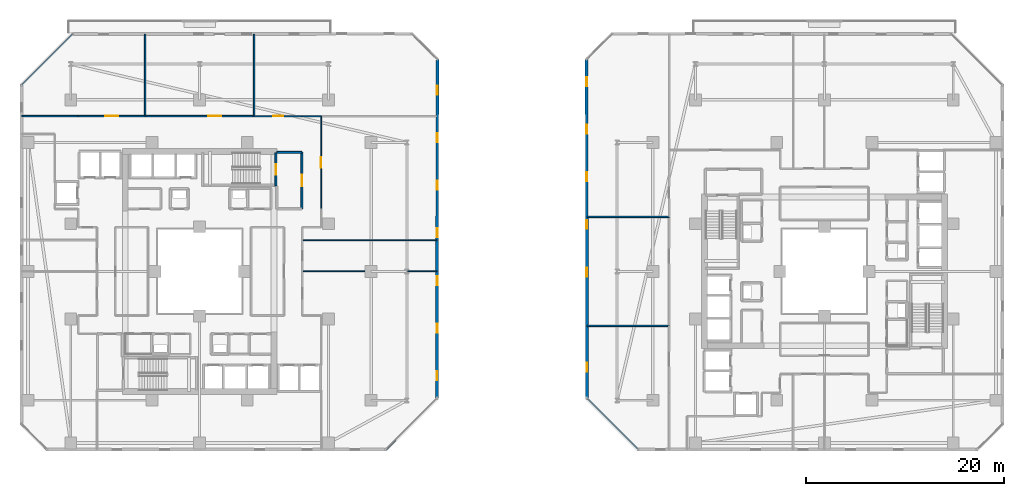
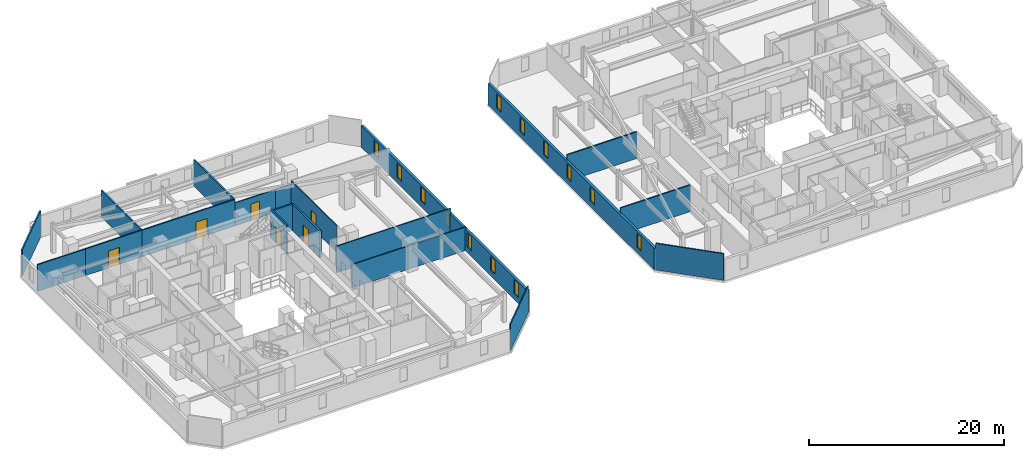
# One storey, part 19 of 31: 20 walls, 13 windows, 6 doors, 19 openings.
"""IFC4 building model written with IfcOpenShell, lengths in metres."""

from ifc_helpers import new_model, si_unit, direction, frame, frame_2d, origin, place, context, subcontext, project, spatial, rectangle, extrude, material, layer, layer_set, type_object, element, fill, save


model = new_model("IFC4")

# Units and contexts
model_context = context("Model", 3, precision=1e-05, world=origin(), true_north=direction((0.0, 1.0)))
body_context = subcontext(model_context, "Body", "Model", "MODEL_VIEW")
ifc_project = project(units=[si_unit("LENGTHUNIT", "METRE"), si_unit("AREAUNIT", "SQUARE_METRE"), si_unit("VOLUMEUNIT", "CUBIC_METRE"), si_unit("PLANEANGLEUNIT", "RADIAN"), si_unit("MASSUNIT", "GRAM", prefix="KILO")], contexts=[model_context])

# Site, building, storey
site_placement = place(None, origin())
site = spatial("IfcSite", under=ifc_project, at=site_placement, CompositionType="ELEMENT")
building_placement = place(site_placement, origin())
building = spatial("IfcBuilding", under=site, at=building_placement, Name="Thornwick Lancets Civic Towers", CompositionType="ELEMENT")
storey_placement = place(building_placement, frame((0.0, 0.0, 87.300048828125)))
storey = spatial("IfcBuildingStorey", under=building, at=storey_placement, Name="L22", CompositionType="ELEMENT", Elevation=87.300048828125)

# Wall, opening, door
ifc_material_1 = material(Name="Concrete blockwork C40/50", Category="masonry")
ifc_layer_1 = layer(ifc_material_1, 0.199951171875, Name="Concrete blockwork C40/50")
ifc_layer_set_1 = layer_set([ifc_layer_1], Name="Concrete blockwork C40/50")
wall_type_1 = type_object("IfcWallType", Name="WALL_COMP_200", PredefinedType="STANDARD", material=ifc_layer_set_1)
wall_1_placement = place(storey_placement, frame((35.800048828125, 33.300048828125, 0.0), z_axis=(0.0, 0.0, 1.0), x_axis=(0.0, 1.0, 0.0)))
wall_1 = element("IfcWall", 1, at=wall_1_placement, inside=storey, type_object=wall_type_1, Name="L22 Partition L22-A-FFLOB2 E2", PredefinedType="STANDARD", context=body_context, shape_type="SweptSolid", body=[
    extrude(rectangle(XDim=5.699951171875, YDim=0.199951171875, at=frame_2d((2.85009765625, 0.0))), origin(), (0.0, 0.0, 1.0), 3.33984375),
])
opening_1_placement = place(wall_1_placement, frame((2.27490234375, 0.0, 0.0)))
opening_1 = element("IfcOpeningElement", 2, at=opening_1_placement, cuts=wall_1, Name="Opening D-L22-1008", PredefinedType="OPENING", context=body_context, shape_type="SweptSolid", body=[
    extrude(rectangle(XDim=1.14990234375, YDim=2.10009765625, at=frame_2d((0.574951171875, 1.050048828125))), frame((0.0, 0.10986328125, 0.0), z_axis=(0.0, -1.0, 0.0), x_axis=(1.0, 0.0, 0.0)), (0.0, 0.0, 1.0), 0.219970703125),
])
ifc_material_2 = material(Name="Glazed fire-resisting steel", Category="steel")
door_type_1 = type_object("IfcDoorType", Name="DOOR_LOBBY_FD60", OperationType="NOTDEFINED", PredefinedType="DOOR", material=ifc_material_2)
door_1_placement = place(opening_1_placement, origin())
door_1 = element("IfcDoor", 3, at=door_1_placement, inside=storey, type_object=door_type_1, Name="L22 North Firefighting Lobby 2 Door", OperationType="SINGLE_SWING_LEFT", OverallHeight=2.10009765625, OverallWidth=1.14990234375, PredefinedType="DOOR", context=body_context, shape_type="SweptSolid", body=[
    extrude(rectangle(XDim=1.14990234375, YDim=2.10009765625, at=frame_2d((0.574951171875, 1.050048828125))), frame((0.0, 0.02490234375, 0.0), z_axis=(0.0, -1.0, 0.0), x_axis=(1.0, 0.0, 0.0)), (0.0, 0.0, 1.0), 0.050048828125),
])
fill(opening_1, door_1)

# Wall
wall_2_placement = place(storey_placement, frame((35.800048828125, 39.0, 0.0), z_axis=(0.0, 0.0, 1.0), x_axis=(-1.0, 0.0, 0.0)))
element("IfcWall", 4, at=wall_2_placement, inside=storey, type_object=wall_type_1, Name="L22 Partition L22-A-FFLOB2 E3", PredefinedType="STANDARD", context=body_context, shape_type="SweptSolid", body=[
    extrude(rectangle(XDim=2.5, YDim=0.199951171875, at=frame_2d((1.25, 0.0))), origin(), (0.0, 0.0, 1.0), 3.33984375),
])

# Wall, openings, windows
ifc_material_3 = material(Name="Insulated russet terracotta rainscreen on concrete C40/50", Category="masonry")
ifc_layer_2 = layer(ifc_material_3, 0.300048828125, Name="Insulated russet terracotta rainscreen on concrete C40/50")
ifc_layer_set_2 = layer_set([ifc_layer_2], Name="Insulated russet terracotta rainscreen on concrete C40/50")
wall_type_2 = type_object("IfcWallType", Name="WALL_EXT_RUSSET_300", PredefinedType="STANDARD", material=ifc_layer_set_2)
wall_3_placement = place(storey_placement, frame((49.456298828125, 14.226318359375, 0.0), z_axis=(0.0, 0.0, 1.0), x_axis=(0.000243032466, 0.999999970468, 0.0)))
wall_3 = element("IfcWall", 5, at=wall_3_placement, inside=storey, type_object=wall_type_2, Name="L22 Tower A Terracotta Facade Wall E2", PredefinedType="STANDARD", context=body_context, shape_type="SweptSolid", body=[
    extrude(rectangle(XDim=34.155029296875, YDim=0.300048828125, at=frame_2d((17.07763671875, 0.0))), origin(), (0.0, 0.0, 1.0), 2.699951171875),
])
opening_2_placement = place(wall_3_placement, frame((1.800048828125, 0.0, 0.719970703125)))
opening_2 = element("IfcOpeningElement", 6, at=opening_2_placement, cuts=wall_3, Name="Opening WL-01", PredefinedType="OPENING", context=body_context, shape_type="SweptSolid", body=[
    extrude(rectangle(XDim=0.89990234375, YDim=1.75, at=frame_2d((0.449951171875, 0.875))), frame((0.0, 0.16015625, 0.0), z_axis=(0.0, -1.0, 0.0), x_axis=(1.0, 0.0, 0.0)), (0.0, 0.0, 1.0), 0.320068359375),
])
opening_3_placement = place(wall_3_placement, frame((6.60009765625, 0.0, 0.719970703125)))
opening_3 = element("IfcOpeningElement", 7, at=opening_3_placement, cuts=wall_3, Name="Opening WL-01", PredefinedType="OPENING", context=body_context, shape_type="SweptSolid", body=[
    extrude(rectangle(XDim=0.89990234375, YDim=1.75, at=frame_2d((0.449951171875, 0.875))), frame((0.0, 0.16015625, 0.0), z_axis=(0.0, -1.0, 0.0), x_axis=(1.0, 0.0, 0.0)), (0.0, 0.0, 1.0), 0.320068359375),
])
opening_4_placement = place(wall_3_placement, frame((11.39990234375, 0.0, 0.719970703125)))
opening_4 = element("IfcOpeningElement", 8, at=opening_4_placement, cuts=wall_3, Name="Opening WL-01", PredefinedType="OPENING", context=body_context, shape_type="SweptSolid", body=[
    extrude(rectangle(XDim=0.89990234375, YDim=1.75, at=frame_2d((0.449951171875, 0.875))), frame((0.0, 0.16015625, 0.0), z_axis=(0.0, -1.0, 0.0), x_axis=(1.0, 0.0, 0.0)), (0.0, 0.0, 1.0), 0.320068359375),
])
opening_5_placement = place(wall_3_placement, frame((16.199951171875, 0.0, 0.719970703125)))
opening_5 = element("IfcOpeningElement", 9, at=opening_5_placement, cuts=wall_3, Name="Opening WL-01", PredefinedType="OPENING", context=body_context, shape_type="SweptSolid", body=[
    extrude(rectangle(XDim=0.89990234375, YDim=1.75, at=frame_2d((0.449951171875, 0.875))), frame((0.0, 0.16015625, 0.0), z_axis=(0.0, -1.0, 0.0), x_axis=(1.0, 0.0, 0.0)), (0.0, 0.0, 1.0), 0.320068359375),
])
opening_6_placement = place(wall_3_placement, frame((21.0, 0.0, 0.719970703125)))
opening_6 = element("IfcOpeningElement", 10, at=opening_6_placement, cuts=wall_3, Name="Opening WL-01", PredefinedType="OPENING", context=body_context, shape_type="SweptSolid", body=[
    extrude(rectangle(XDim=0.89990234375, YDim=1.75, at=frame_2d((0.449951171875, 0.875))), frame((0.0, 0.16015625, 0.0), z_axis=(0.0, -1.0, 0.0), x_axis=(1.0, 0.0, 0.0)), (0.0, 0.0, 1.0), 0.320068359375),
])
opening_7_placement = place(wall_3_placement, frame((25.800048828125, 0.0, 0.719970703125)))
opening_7 = element("IfcOpeningElement", 11, at=opening_7_placement, cuts=wall_3, Name="Opening WL-01", PredefinedType="OPENING", context=body_context, shape_type="SweptSolid", body=[
    extrude(rectangle(XDim=0.89990234375, YDim=1.75, at=frame_2d((0.449951171875, 0.875))), frame((0.0, 0.16015625, 0.0), z_axis=(0.0, -1.0, 0.0), x_axis=(1.0, 0.0, 0.0)), (0.0, 0.0, 1.0), 0.320068359375),
])
opening_8_placement = place(wall_3_placement, frame((30.60009765625, 0.0, 0.719970703125)))
opening_8 = element("IfcOpeningElement", 12, at=opening_8_placement, cuts=wall_3, Name="Opening WL-01", PredefinedType="OPENING", context=body_context, shape_type="SweptSolid", body=[
    extrude(rectangle(XDim=0.89990234375, YDim=1.75, at=frame_2d((0.449951171875, 0.875))), frame((0.0, 0.16015625, 0.0), z_axis=(0.0, -1.0, 0.0), x_axis=(1.0, 0.0, 0.0)), (0.0, 0.0, 1.0), 0.320068359375),
])
ifc_material_4 = material(Name="Clear low-e double glazing in bronze frame", Category="glass")
window_type = type_object("IfcWindowType", Name="WIN_LANCET_900", PartitioningType="SINGLE_PANEL", PredefinedType="WINDOW", material=ifc_material_4)
window_1_placement = place(opening_2_placement, origin())
window_1 = element("IfcWindow", 13, at=window_1_placement, inside=storey, type_object=window_type, Name="L22 Tower A Staggered Lancet Window E2-1", OverallHeight=1.75, OverallWidth=0.89990234375, PartitioningType="SINGLE_PANEL", PredefinedType="WINDOW", context=body_context, shape_type="SweptSolid", body=[
    extrude(rectangle(XDim=0.89990234375, YDim=1.75, at=frame_2d((0.449951171875, 0.875))), frame((0.0, 0.030029296875, 0.0), z_axis=(0.0, -1.0, 0.0), x_axis=(1.0, 0.0, 0.0)), (0.0, 0.0, 1.0), 0.06005859375),
])
fill(opening_2, window_1)
window_2_placement = place(opening_3_placement, origin())
window_2 = element("IfcWindow", 14, at=window_2_placement, inside=storey, type_object=window_type, Name="L22 Tower A Staggered Lancet Window E2-2", OverallHeight=1.75, OverallWidth=0.89990234375, PartitioningType="SINGLE_PANEL", PredefinedType="WINDOW", context=body_context, shape_type="SweptSolid", body=[
    extrude(rectangle(XDim=0.89990234375, YDim=1.75, at=frame_2d((0.449951171875, 0.875))), frame((0.0, 0.030029296875, 0.0), z_axis=(0.0, -1.0, 0.0), x_axis=(1.0, 0.0, 0.0)), (0.0, 0.0, 1.0), 0.06005859375),
])
fill(opening_3, window_2)
window_3_placement = place(opening_4_placement, origin())
window_3 = element("IfcWindow", 15, at=window_3_placement, inside=storey, type_object=window_type, Name="L22 Tower A Staggered Lancet Window E2-3", OverallHeight=1.75, OverallWidth=0.89990234375, PartitioningType="SINGLE_PANEL", PredefinedType="WINDOW", context=body_context, shape_type="SweptSolid", body=[
    extrude(rectangle(XDim=0.89990234375, YDim=1.75, at=frame_2d((0.449951171875, 0.875))), frame((0.0, 0.030029296875, 0.0), z_axis=(0.0, -1.0, 0.0), x_axis=(1.0, 0.0, 0.0)), (0.0, 0.0, 1.0), 0.06005859375),
])
fill(opening_4, window_3)
window_4_placement = place(opening_5_placement, origin())
window_4 = element("IfcWindow", 16, at=window_4_placement, inside=storey, type_object=window_type, Name="L22 Tower A Staggered Lancet Window E2-4", OverallHeight=1.75, OverallWidth=0.89990234375, PartitioningType="SINGLE_PANEL", PredefinedType="WINDOW", context=body_context, shape_type="SweptSolid", body=[
    extrude(rectangle(XDim=0.89990234375, YDim=1.75, at=frame_2d((0.449951171875, 0.875))), frame((0.0, 0.030029296875, 0.0), z_axis=(0.0, -1.0, 0.0), x_axis=(1.0, 0.0, 0.0)), (0.0, 0.0, 1.0), 0.06005859375),
])
fill(opening_5, window_4)
window_5_placement = place(opening_6_placement, origin())
window_5 = element("IfcWindow", 17, at=window_5_placement, inside=storey, type_object=window_type, Name="L22 Tower A Staggered Lancet Window E2-5", OverallHeight=1.75, OverallWidth=0.89990234375, PartitioningType="SINGLE_PANEL", PredefinedType="WINDOW", context=body_context, shape_type="SweptSolid", body=[
    extrude(rectangle(XDim=0.89990234375, YDim=1.75, at=frame_2d((0.449951171875, 0.875))), frame((0.0, 0.030029296875, 0.0), z_axis=(0.0, -1.0, 0.0), x_axis=(1.0, 0.0, 0.0)), (0.0, 0.0, 1.0), 0.06005859375),
])
fill(opening_6, window_5)
window_6_placement = place(opening_7_placement, origin())
window_6 = element("IfcWindow", 18, at=window_6_placement, inside=storey, type_object=window_type, Name="L22 Tower A Staggered Lancet Window E2-6", OverallHeight=1.75, OverallWidth=0.89990234375, PartitioningType="SINGLE_PANEL", PredefinedType="WINDOW", context=body_context, shape_type="SweptSolid", body=[
    extrude(rectangle(XDim=0.89990234375, YDim=1.75, at=frame_2d((0.449951171875, 0.875))), frame((0.0, 0.030029296875, 0.0), z_axis=(0.0, -1.0, 0.0), x_axis=(1.0, 0.0, 0.0)), (0.0, 0.0, 1.0), 0.06005859375),
])
fill(opening_7, window_6)
window_7_placement = place(opening_8_placement, origin())
window_7 = element("IfcWindow", 19, at=window_7_placement, inside=storey, type_object=window_type, Name="L22 Tower A Staggered Lancet Window E2-7", OverallHeight=1.75, OverallWidth=0.89990234375, PartitioningType="SINGLE_PANEL", PredefinedType="WINDOW", context=body_context, shape_type="SweptSolid", body=[
    extrude(rectangle(XDim=0.89990234375, YDim=1.75, at=frame_2d((0.449951171875, 0.875))), frame((0.0, 0.030029296875, 0.0), z_axis=(0.0, -1.0, 0.0), x_axis=(1.0, 0.0, 0.0)), (0.0, 0.0, 1.0), 0.06005859375),
])
fill(opening_8, window_7)

wall_4_placement = place(storey_placement, frame((64.535400390625, 48.38134765625, 0.0), z_axis=(0.0, 0.0, 1.0), x_axis=(0.000243032466, -0.999999970468, 0.0)))
wall_4 = element("IfcWall", 20, at=wall_4_placement, inside=storey, type_object=wall_type_2, Name="L22 Tower B Terracotta Facade Wall E6", PredefinedType="STANDARD", context=body_context, shape_type="SweptSolid", body=[
    extrude(rectangle(XDim=34.155029296875, YDim=0.300048828125, at=frame_2d((17.07763671875, 0.0))), origin(), (0.0, 0.0, 1.0), 2.699951171875),
])
opening_9_placement = place(wall_4_placement, frame((1.800048828125, 0.0, 0.719970703125)))
opening_9 = element("IfcOpeningElement", 21, at=opening_9_placement, cuts=wall_4, Name="Opening WL-01", PredefinedType="OPENING", context=body_context, shape_type="SweptSolid", body=[
    extrude(rectangle(XDim=0.89990234375, YDim=1.75, at=frame_2d((0.449951171875, 0.875))), frame((0.0, 0.16015625, 0.0), z_axis=(0.0, -1.0, 0.0), x_axis=(1.0, 0.0, 0.0)), (0.0, 0.0, 1.0), 0.320068359375),
])
opening_10_placement = place(wall_4_placement, frame((6.60009765625, 0.0, 0.719970703125)))
opening_10 = element("IfcOpeningElement", 22, at=opening_10_placement, cuts=wall_4, Name="Opening WL-01", PredefinedType="OPENING", context=body_context, shape_type="SweptSolid", body=[
    extrude(rectangle(XDim=0.89990234375, YDim=1.75, at=frame_2d((0.449951171875, 0.875))), frame((0.0, 0.16015625, 0.0), z_axis=(0.0, -1.0, 0.0), x_axis=(1.0, 0.0, 0.0)), (0.0, 0.0, 1.0), 0.320068359375),
])
opening_11_placement = place(wall_4_placement, frame((11.39990234375, 0.0, 0.719970703125)))
opening_11 = element("IfcOpeningElement", 23, at=opening_11_placement, cuts=wall_4, Name="Opening WL-01", PredefinedType="OPENING", context=body_context, shape_type="SweptSolid", body=[
    extrude(rectangle(XDim=0.89990234375, YDim=1.75, at=frame_2d((0.449951171875, 0.875))), frame((0.0, 0.16015625, 0.0), z_axis=(0.0, -1.0, 0.0), x_axis=(1.0, 0.0, 0.0)), (0.0, 0.0, 1.0), 0.320068359375),
])
opening_12_placement = place(wall_4_placement, frame((16.199951171875, 0.0, 0.719970703125)))
opening_12 = element("IfcOpeningElement", 24, at=opening_12_placement, cuts=wall_4, Name="Opening WL-01", PredefinedType="OPENING", context=body_context, shape_type="SweptSolid", body=[
    extrude(rectangle(XDim=0.89990234375, YDim=1.75, at=frame_2d((0.449951171875, 0.875))), frame((0.0, 0.16015625, 0.0), z_axis=(0.0, -1.0, 0.0), x_axis=(1.0, 0.0, 0.0)), (0.0, 0.0, 1.0), 0.320068359375),
])
opening_13_placement = place(wall_4_placement, frame((21.0, 0.0, 0.719970703125)))
opening_13 = element("IfcOpeningElement", 25, at=opening_13_placement, cuts=wall_4, Name="Opening WL-01", PredefinedType="OPENING", context=body_context, shape_type="SweptSolid", body=[
    extrude(rectangle(XDim=0.89990234375, YDim=1.75, at=frame_2d((0.449951171875, 0.875))), frame((0.0, 0.16015625, 0.0), z_axis=(0.0, -1.0, 0.0), x_axis=(1.0, 0.0, 0.0)), (0.0, 0.0, 1.0), 0.320068359375),
])
opening_14_placement = place(wall_4_placement, frame((30.60009765625, 0.0, 0.719970703125)))
opening_14 = element("IfcOpeningElement", 26, at=opening_14_placement, cuts=wall_4, Name="Opening WL-01", PredefinedType="OPENING", context=body_context, shape_type="SweptSolid", body=[
    extrude(rectangle(XDim=0.89990234375, YDim=1.75, at=frame_2d((0.449951171875, 0.875))), frame((0.0, 0.16015625, 0.0), z_axis=(0.0, -1.0, 0.0), x_axis=(1.0, 0.0, 0.0)), (0.0, 0.0, 1.0), 0.320068359375),
])
window_8_placement = place(opening_9_placement, origin())
window_8 = element("IfcWindow", 27, at=window_8_placement, inside=storey, type_object=window_type, Name="L22 Tower B Staggered Lancet Window E6-1", OverallHeight=1.75, OverallWidth=0.89990234375, PartitioningType="SINGLE_PANEL", PredefinedType="WINDOW", context=body_context, shape_type="SweptSolid", body=[
    extrude(rectangle(XDim=0.89990234375, YDim=1.75, at=frame_2d((0.449951171875, 0.875))), frame((0.0, 0.030029296875, 0.0), z_axis=(0.0, -1.0, 0.0), x_axis=(1.0, 0.0, 0.0)), (0.0, 0.0, 1.0), 0.06005859375),
])
fill(opening_9, window_8)
window_9_placement = place(opening_10_placement, origin())
window_9 = element("IfcWindow", 28, at=window_9_placement, inside=storey, type_object=window_type, Name="L22 Tower B Staggered Lancet Window E6-2", OverallHeight=1.75, OverallWidth=0.89990234375, PartitioningType="SINGLE_PANEL", PredefinedType="WINDOW", context=body_context, shape_type="SweptSolid", body=[
    extrude(rectangle(XDim=0.89990234375, YDim=1.75, at=frame_2d((0.449951171875, 0.875))), frame((0.0, 0.030029296875, 0.0), z_axis=(0.0, -1.0, 0.0), x_axis=(1.0, 0.0, 0.0)), (0.0, 0.0, 1.0), 0.06005859375),
])
fill(opening_10, window_9)
window_10_placement = place(opening_11_placement, origin())
window_10 = element("IfcWindow", 29, at=window_10_placement, inside=storey, type_object=window_type, Name="L22 Tower B Staggered Lancet Window E6-3", OverallHeight=1.75, OverallWidth=0.89990234375, PartitioningType="SINGLE_PANEL", PredefinedType="WINDOW", context=body_context, shape_type="SweptSolid", body=[
    extrude(rectangle(XDim=0.89990234375, YDim=1.75, at=frame_2d((0.449951171875, 0.875))), frame((0.0, 0.030029296875, 0.0), z_axis=(0.0, -1.0, 0.0), x_axis=(1.0, 0.0, 0.0)), (0.0, 0.0, 1.0), 0.06005859375),
])
fill(opening_11, window_10)
window_11_placement = place(opening_12_placement, origin())
window_11 = element("IfcWindow", 30, at=window_11_placement, inside=storey, type_object=window_type, Name="L22 Tower B Staggered Lancet Window E6-4", OverallHeight=1.75, OverallWidth=0.89990234375, PartitioningType="SINGLE_PANEL", PredefinedType="WINDOW", context=body_context, shape_type="SweptSolid", body=[
    extrude(rectangle(XDim=0.89990234375, YDim=1.75, at=frame_2d((0.449951171875, 0.875))), frame((0.0, 0.030029296875, 0.0), z_axis=(0.0, -1.0, 0.0), x_axis=(1.0, 0.0, 0.0)), (0.0, 0.0, 1.0), 0.06005859375),
])
fill(opening_12, window_11)
window_12_placement = place(opening_13_placement, origin())
window_12 = element("IfcWindow", 31, at=window_12_placement, inside=storey, type_object=window_type, Name="L22 Tower B Staggered Lancet Window E6-5", OverallHeight=1.75, OverallWidth=0.89990234375, PartitioningType="SINGLE_PANEL", PredefinedType="WINDOW", context=body_context, shape_type="SweptSolid", body=[
    extrude(rectangle(XDim=0.89990234375, YDim=1.75, at=frame_2d((0.449951171875, 0.875))), frame((0.0, 0.030029296875, 0.0), z_axis=(0.0, -1.0, 0.0), x_axis=(1.0, 0.0, 0.0)), (0.0, 0.0, 1.0), 0.06005859375),
])
fill(opening_13, window_12)
window_13_placement = place(opening_14_placement, origin())
window_13 = element("IfcWindow", 32, at=window_13_placement, inside=storey, type_object=window_type, Name="L22 Tower B Staggered Lancet Window E6-6", OverallHeight=1.75, OverallWidth=0.89990234375, PartitioningType="SINGLE_PANEL", PredefinedType="WINDOW", context=body_context, shape_type="SweptSolid", body=[
    extrude(rectangle(XDim=0.89990234375, YDim=1.75, at=frame_2d((0.449951171875, 0.875))), frame((0.0, 0.030029296875, 0.0), z_axis=(0.0, -1.0, 0.0), x_axis=(1.0, 0.0, 0.0)), (0.0, 0.0, 1.0), 0.06005859375),
])
fill(opening_14, window_13)

# Walls
ifc_material_5 = material(Name="Acoustic gypsum board partition")
ifc_layer_3 = layer(ifc_material_5, 0.1201171875, Name="Acoustic gypsum board partition")
ifc_layer_set_3 = layer_set([ifc_layer_3], Name="Acoustic gypsum board partition")
wall_type_3 = type_object("IfcWallType", Name="WALL_PART_120", PredefinedType="PARTITIONING", material=ifc_layer_set_3)
wall_5_placement = place(storey_placement, frame((35.85009765625, 27.0, 0.0), z_axis=(0.0, 0.0, 1.0), x_axis=(1.0, 0.0, 0.0)))
element("IfcWall", 33, at=wall_5_placement, inside=storey, type_object=wall_type_3, Name="L22 Partition L22-A-E1 E5", PredefinedType="PARTITIONING", context=body_context, shape_type="SweptSolid", body=[
    extrude(rectangle(XDim=13.56982421875, YDim=0.1201171875, at=frame_2d((6.784912109375, 0.0))), origin(), (0.0, 0.0, 1.0), 2.93212890625),
])
wall_6_placement = place(storey_placement, frame((49.419921875, 14.192626953125, 0.0), z_axis=(0.0, 0.0, 1.0), x_axis=(-0.707106781187, -0.707106781187, 0.0)))
element("IfcWall", 34, at=wall_6_placement, inside=storey, type_object=wall_type_3, Name="L22 Partition L22-A-E1 E7", PredefinedType="PARTITIONING", context=body_context, shape_type="SweptSolid", body=[
    extrude(rectangle(XDim=7.230224609375, YDim=0.1201171875, at=frame_2d((3.615234375, 0.0))), origin(), (0.0, 0.0, 1.0), 3.33984375),
])
wall_7_placement = place(storey_placement, frame((35.85009765625, 30.14990234375, 0.0), z_axis=(0.0, 0.0, 1.0), x_axis=(1.0, 0.0, 0.0)))
element("IfcWall", 35, at=wall_7_placement, inside=storey, type_object=wall_type_3, Name="L22 Partition L22-A-E2 E2", PredefinedType="PARTITIONING", context=body_context, shape_type="SweptSolid", body=[
    extrude(rectangle(XDim=13.56982421875, YDim=0.1201171875, at=frame_2d((6.784912109375, 0.0))), origin(), (0.0, 0.0, 1.0), 3.33984375),
])

# Wall, opening, door
wall_8_placement = place(storey_placement, frame((37.75, 33.300048828125, 0.0), z_axis=(0.0, 0.0, 1.0), x_axis=(0.0, 1.0, 0.0)))
wall_8 = element("IfcWall", 36, at=wall_8_placement, inside=storey, type_object=wall_type_3, Name="L22 Partition L22-A-E3 E3", PredefinedType="PARTITIONING", context=body_context, shape_type="SweptSolid", body=[
    extrude(rectangle(XDim=9.349853515625, YDim=0.1201171875, at=frame_2d((4.6748046875, 0.0))), origin(), (0.0, 0.0, 1.0), 3.33984375),
])
opening_15_placement = place(wall_8_placement, frame((4.14990234375, 0.0, 0.0)))
opening_15 = element("IfcOpeningElement", 37, at=opening_15_placement, cuts=wall_8, Name="Opening D-L22-1036", PredefinedType="OPENING", context=body_context, shape_type="SweptSolid", body=[
    extrude(rectangle(XDim=1.050048828125, YDim=2.10009765625, at=frame_2d((0.52490234375, 1.050048828125))), frame((0.0, 0.070068359375, 0.0), z_axis=(0.0, -1.0, 0.0), x_axis=(1.0, 0.0, 0.0)), (0.0, 0.0, 1.0), 0.14013671875),
])
ifc_material_6 = material(Name="Glazed European oak executive doorset")
door_type_2 = type_object("IfcDoorType", Name="DOOR_OFFICE_1050", OperationType="NOTDEFINED", PredefinedType="DOOR", material=ifc_material_6)
door_2_placement = place(opening_15_placement, origin())
door_2 = element("IfcDoor", 38, at=door_2_placement, inside=storey, type_object=door_type_2, Name="L22 Tower A Civic Seminar Room Door", OperationType="SINGLE_SWING_LEFT", OverallHeight=2.10009765625, OverallWidth=1.050048828125, PredefinedType="DOOR", context=body_context, shape_type="SweptSolid", body=[
    extrude(rectangle(XDim=1.050048828125, YDim=2.10009765625, at=frame_2d((0.52490234375, 1.050048828125))), frame((0.0, 0.02490234375, 0.0), z_axis=(0.0, -1.0, 0.0), x_axis=(1.0, 0.0, 0.0)), (0.0, 0.0, 1.0), 0.050048828125),
])
fill(opening_15, door_2)

# Wall
wall_9_placement = place(storey_placement, frame((37.75, 42.64990234375, 0.0), z_axis=(0.0, 0.0, 1.0), x_axis=(-1.0, 0.0, 0.0)))
element("IfcWall", 39, at=wall_9_placement, inside=storey, type_object=wall_type_3, Name="L22 Partition L22-A-N-OFF E1", PredefinedType="PARTITIONING", context=body_context, shape_type="SweptSolid", body=[
    extrude(rectangle(XDim=1.89990234375, YDim=0.1201171875, at=frame_2d((0.949951171875, 0.0))), origin(), (0.0, 0.0, 1.0), 2.89501953125),
])

# Wall, opening, door
wall_10_placement = place(storey_placement, frame((35.85009765625, 42.64990234375, 0.0), z_axis=(0.0, 0.0, 1.0), x_axis=(-1.0, 0.0, 0.0)))
wall_10 = element("IfcWall", 40, at=wall_10_placement, inside=storey, type_object=wall_type_3, Name="L22 Partition L22-A-N-OFF E2", PredefinedType="PARTITIONING", context=body_context, shape_type="SweptSolid", body=[
    extrude(rectangle(XDim=4.85009765625, YDim=0.1201171875, at=frame_2d((2.425048828125, 0.0))), origin(), (0.0, 0.0, 1.0), 2.89501953125),
])
opening_16_placement = place(wall_10_placement, frame((1.89990234375, 0.0, 0.0)))
opening_16 = element("IfcOpeningElement", 41, at=opening_16_placement, cuts=wall_10, Name="Opening D-L22-1041", PredefinedType="OPENING", context=body_context, shape_type="SweptSolid", body=[
    extrude(rectangle(XDim=1.050048828125, YDim=2.10009765625, at=frame_2d((0.52490234375, 1.050048828125))), frame((0.0, 0.070068359375, 0.0), z_axis=(0.0, -1.0, 0.0), x_axis=(1.0, 0.0, 0.0)), (0.0, 0.0, 1.0), 0.14013671875),
])
door_3_placement = place(opening_16_placement, origin())
door_3 = element("IfcDoor", 42, at=door_3_placement, inside=storey, type_object=door_type_2, Name="L22 Tower A North-East Policy Office Door", OperationType="SINGLE_SWING_RIGHT", OverallHeight=2.10009765625, OverallWidth=1.050048828125, PredefinedType="DOOR", context=body_context, shape_type="SweptSolid", body=[
    extrude(rectangle(XDim=1.050048828125, YDim=2.10009765625, at=frame_2d((0.52490234375, 1.050048828125))), frame((0.0, 0.02490234375, 0.0), z_axis=(0.0, -1.0, 0.0), x_axis=(1.0, 0.0, 0.0)), (0.0, 0.0, 1.0), 0.050048828125),
])
fill(opening_16, door_3)

# Walls
ifc_material_7 = material(Name="Twin-stud acoustic gypsum board")
ifc_layer_4 = layer(ifc_material_7, 0.14990234375, Name="Twin-stud acoustic gypsum board")
ifc_layer_set_4 = layer_set([ifc_layer_4], Name="Twin-stud acoustic gypsum board")
wall_type_4 = type_object("IfcWallType", Name="WALL_PART_150", PredefinedType="PARTITIONING", material=ifc_layer_set_4)
wall_11_placement = place(storey_placement, frame((13.25, 42.64990234375, 0.0), z_axis=(0.0, 0.0, 1.0), x_axis=(-1.0, 0.0, 0.0)))
element("IfcWall", 43, at=wall_11_placement, inside=storey, type_object=wall_type_4, Name="L22 Partition L22-A-N-CONF E1", PredefinedType="PARTITIONING", context=body_context, shape_type="SweptSolid", body=[
    extrude(rectangle(XDim=5.669921875, YDim=0.14990234375, at=frame_2d((2.8349609375, 0.0))), origin(), (0.0, 0.0, 1.0), 3.33984375),
])
wall_12_placement = place(storey_placement, frame((7.580078125, 45.807373046875, 0.0), z_axis=(0.0, 0.0, 1.0), x_axis=(0.707106781187, 0.707106781187, 0.0)))
element("IfcWall", 44, at=wall_12_placement, inside=storey, type_object=wall_type_4, Name="L22 Partition L22-A-N-CONF E3", PredefinedType="PARTITIONING", context=body_context, shape_type="SweptSolid", body=[
    extrude(rectangle(XDim=7.230224609375, YDim=0.14990234375, at=frame_2d((3.615234375, 0.0))), origin(), (0.0, 0.0, 1.0), 3.33984375),
])
wall_13_placement = place(storey_placement, frame((20.0, 50.919921875, 0.0), z_axis=(0.0, 0.0, 1.0), x_axis=(0.0, -1.0, 0.0)))
element("IfcWall", 45, at=wall_13_placement, inside=storey, type_object=wall_type_4, Name="L22 Partition L22-A-N-CONF E5", PredefinedType="PARTITIONING", context=body_context, shape_type="SweptSolid", body=[
    extrude(rectangle(XDim=8.27001953125, YDim=0.14990234375, at=frame_2d((4.135009765625, 0.0))), origin(), (0.0, 0.0, 1.0), 3.33984375),
])

# Wall, opening, door
wall_14_placement = place(storey_placement, frame((20.0, 42.64990234375, 0.0), z_axis=(0.0, 0.0, 1.0), x_axis=(-1.0, 0.0, 0.0)))
wall_14 = element("IfcWall", 46, at=wall_14_placement, inside=storey, type_object=wall_type_4, Name="L22 Partition L22-A-N-CONF E6", PredefinedType="PARTITIONING", context=body_context, shape_type="SweptSolid", body=[
    extrude(rectangle(XDim=6.75, YDim=0.14990234375, at=frame_2d((3.375, 0.0))), origin(), (0.0, 0.0, 1.0), 3.33984375),
])
opening_17_placement = place(wall_14_placement, frame((2.72509765625, 0.0, 0.0)))
opening_17 = element("IfcOpeningElement", 47, at=opening_17_placement, cuts=wall_14, Name="Opening D-L22-1039", PredefinedType="OPENING", context=body_context, shape_type="SweptSolid", body=[
    extrude(rectangle(XDim=1.300048828125, YDim=2.1201171875, at=frame_2d((0.64990234375, 1.06005859375))), frame((0.0, 0.0849609375, 0.0), z_axis=(0.0, -1.0, 0.0), x_axis=(1.0, 0.0, 0.0)), (0.0, 0.0, 1.0), 0.169921875),
])
ifc_material_8 = material(Name="Acoustic oak leaf-and-a-half doorset")
door_type_3 = type_object("IfcDoorType", Name="DOOR_MEET_1300", OperationType="DOUBLE_DOOR_SINGLE_SWING", PredefinedType="DOOR", material=ifc_material_8)
door_4_placement = place(opening_17_placement, origin())
door_4 = element("IfcDoor", 48, at=door_4_placement, inside=storey, type_object=door_type_3, Name="L22 Tower A North-West Conference Room Door", OperationType="DOUBLE_DOOR_SINGLE_SWING", OverallHeight=2.1201171875, OverallWidth=1.300048828125, PredefinedType="DOOR", context=body_context, shape_type="SweptSolid", body=[
    extrude(rectangle(XDim=1.300048828125, YDim=2.1201171875, at=frame_2d((0.64990234375, 1.06005859375))), frame((0.0, 0.02490234375, 0.0), z_axis=(0.0, -1.0, 0.0), x_axis=(1.0, 0.0, 0.0)), (0.0, 0.0, 1.0), 0.050048828125),
])
fill(opening_17, door_4)

# Wall
wall_15_placement = place(storey_placement, frame((31.0, 50.919921875, 0.0), z_axis=(0.0, 0.0, 1.0), x_axis=(0.0, -1.0, 0.0)))
element("IfcWall", 49, at=wall_15_placement, inside=storey, type_object=wall_type_4, Name="L22 Partition L22-A-N-MEET E3", PredefinedType="PARTITIONING", context=body_context, shape_type="SweptSolid", body=[
    extrude(rectangle(XDim=8.27001953125, YDim=0.14990234375, at=frame_2d((4.135009765625, 0.0))), origin(), (0.0, 0.0, 1.0), 3.33984375),
])

# Wall, opening, door
wall_16_placement = place(storey_placement, frame((31.0, 42.64990234375, 0.0), z_axis=(0.0, 0.0, 1.0), x_axis=(-1.0, 0.0, 0.0)))
wall_16 = element("IfcWall", 50, at=wall_16_placement, inside=storey, type_object=wall_type_4, Name="L22 Partition L22-A-N-MEET E4", PredefinedType="PARTITIONING", context=body_context, shape_type="SweptSolid", body=[
    extrude(rectangle(XDim=11.0, YDim=0.14990234375, at=frame_2d((5.5, 0.0))), origin(), (0.0, 0.0, 1.0), 3.33984375),
])
opening_18_placement = place(wall_16_placement, frame((3.31005859375, 0.0, 0.0)))
opening_18 = element("IfcOpeningElement", 51, at=opening_18_placement, cuts=wall_16, Name="Opening D-L22-1040", PredefinedType="OPENING", context=body_context, shape_type="SweptSolid", body=[
    extrude(rectangle(XDim=1.300048828125, YDim=2.1201171875, at=frame_2d((0.64990234375, 1.06005859375))), frame((0.0, 0.0849609375, 0.0), z_axis=(0.0, -1.0, 0.0), x_axis=(1.0, 0.0, 0.0)), (0.0, 0.0, 1.0), 0.169921875),
])
door_5_placement = place(opening_18_placement, origin())
door_5 = element("IfcDoor", 52, at=door_5_placement, inside=storey, type_object=door_type_3, Name="L22 Tower A North Briefing Chamber Door", OperationType="DOUBLE_DOOR_SINGLE_SWING", OverallHeight=2.1201171875, OverallWidth=1.300048828125, PredefinedType="DOOR", context=body_context, shape_type="SweptSolid", body=[
    extrude(rectangle(XDim=1.300048828125, YDim=2.1201171875, at=frame_2d((0.64990234375, 1.06005859375))), frame((0.0, 0.02490234375, 0.0), z_axis=(0.0, -1.0, 0.0), x_axis=(1.0, 0.0, 0.0)), (0.0, 0.0, 1.0), 0.050048828125),
])
fill(opening_18, door_5)

# Walls
wall_17_placement = place(storey_placement, frame((69.692626953125, 9.080078125, 0.0), z_axis=(0.0, 0.0, 1.0), x_axis=(-0.707106781187, 0.707106781187, 0.0)))
element("IfcWall", 53, at=wall_17_placement, inside=storey, type_object=wall_type_4, Name="L22 Partition L22-B-N-CONF E3", PredefinedType="PARTITIONING", context=body_context, shape_type="SweptSolid", body=[
    extrude(rectangle(XDim=7.230224609375, YDim=0.14990234375, at=frame_2d((3.615234375, 0.0))), origin(), (0.0, 0.0, 1.0), 3.33984375),
])
for number, where, z_axis, x_axis, name in (
    (54, (64.580078125, 21.5, 0.0), (0.0, 0.0, 1.0), (1.0, 0.0, 0.0), "L22 Partition L22-B-N-CONF E5"),
    (55, (64.580078125, 32.5, 0.0), (0.0, 0.0, 1.0), (1.0, 0.0, 0.0), "L22 Partition L22-B-N-MEET E3"),
):
    element("IfcWall", number, at=place(storey_placement, frame(where, z_axis=z_axis, x_axis=x_axis)), inside=storey, type_object=wall_type_4, Name=name, PredefinedType="PARTITIONING", context=body_context, shape_type="SweptSolid", body=[
        extrude(rectangle(XDim=8.27001953125, YDim=0.14990234375, at=frame_2d((4.135009765625, 0.0))), origin(), (0.0, 0.0, 1.0), 3.33984375),
    ])

# Wall, opening, door
ifc_material_9 = material(Name="Concrete C40/50", Category="concrete")
ifc_layer_5 = layer(ifc_material_9, 0.199951171875, Name="Concrete C40/50")
ifc_layer_set_5 = layer_set([ifc_layer_5], Name="Concrete C40/50")
wall_type_5 = type_object("IfcWallType", Name="WALL_SHAFT_200", PredefinedType="SHEAR", material=ifc_layer_set_5)
wall_18_placement = place(storey_placement, frame((33.199951171875, 38.949951171875, 0.0), z_axis=(0.0, 0.0, 1.0), x_axis=(0.0, -1.0, 0.0)))
wall_18 = element("IfcWall", 56, at=wall_18_placement, inside=storey, type_object=wall_type_5, Name="L22 ST-A2 Fire Stair Core Wall NEAR", PredefinedType="SHEAR", context=body_context, shape_type="SweptSolid", body=[
    extrude(rectangle(XDim=3.349853515625, YDim=0.199951171875, at=frame_2d((1.6748046875, 0.0))), origin(), (0.0, 0.0, 1.0), 3.599853515625),
])
opening_19_placement = place(wall_18_placement, frame((1.125, 0.0, 0.0)))
opening_19 = element("IfcOpeningElement", 57, at=opening_19_placement, cuts=wall_18, Name="Opening D-ST-A2-L22", PredefinedType="OPENING", context=body_context, shape_type="SweptSolid", body=[
    extrude(rectangle(XDim=1.10009765625, YDim=2.10009765625, at=frame_2d((0.550048828125, 1.050048828125))), frame((0.0, 0.10986328125, 0.0), z_axis=(0.0, -1.0, 0.0), x_axis=(1.0, 0.0, 0.0)), (0.0, 0.0, 1.0), 0.219970703125),
])
ifc_material_10 = material(Name="Fire-resisting steel and hardwood", Category="steel")
door_type_4 = type_object("IfcDoorType", Name="DOOR_STAIR_FD60", OperationType="NOTDEFINED", PredefinedType="DOOR", material=ifc_material_10)
door_6_placement = place(opening_19_placement, origin())
door_6 = element("IfcDoor", 58, at=door_6_placement, inside=storey, type_object=door_type_4, Name="L22 ST-A2 Exit Stair Door", OperationType="SINGLE_SWING_LEFT", OverallHeight=2.10009765625, OverallWidth=1.10009765625, PredefinedType="DOOR", context=body_context, shape_type="SweptSolid", body=[
    extrude(rectangle(XDim=1.10009765625, YDim=2.10009765625, at=frame_2d((0.550048828125, 1.050048828125))), frame((0.0, 0.02490234375, 0.0), z_axis=(0.0, -1.0, 0.0), x_axis=(1.0, 0.0, 0.0)), (0.0, 0.0, 1.0), 0.050048828125),
])
fill(opening_19, door_6)

save(model, "model.ifc")
